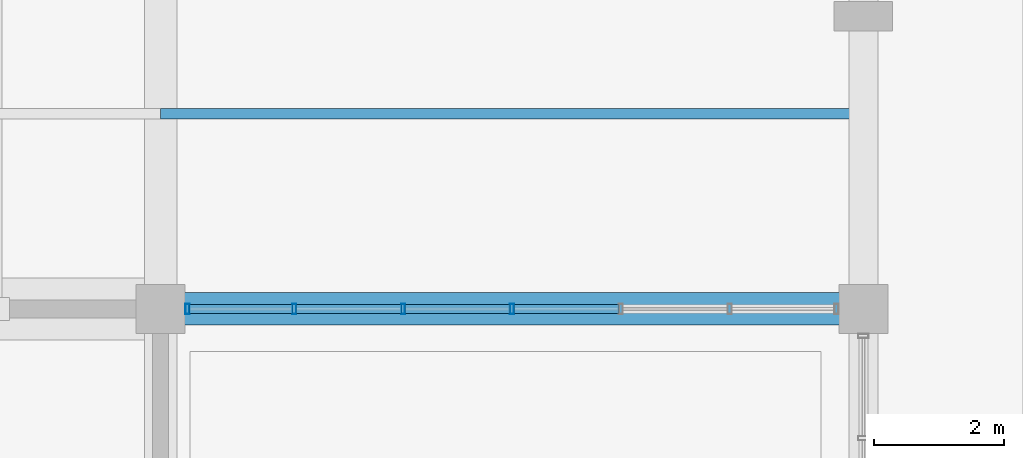
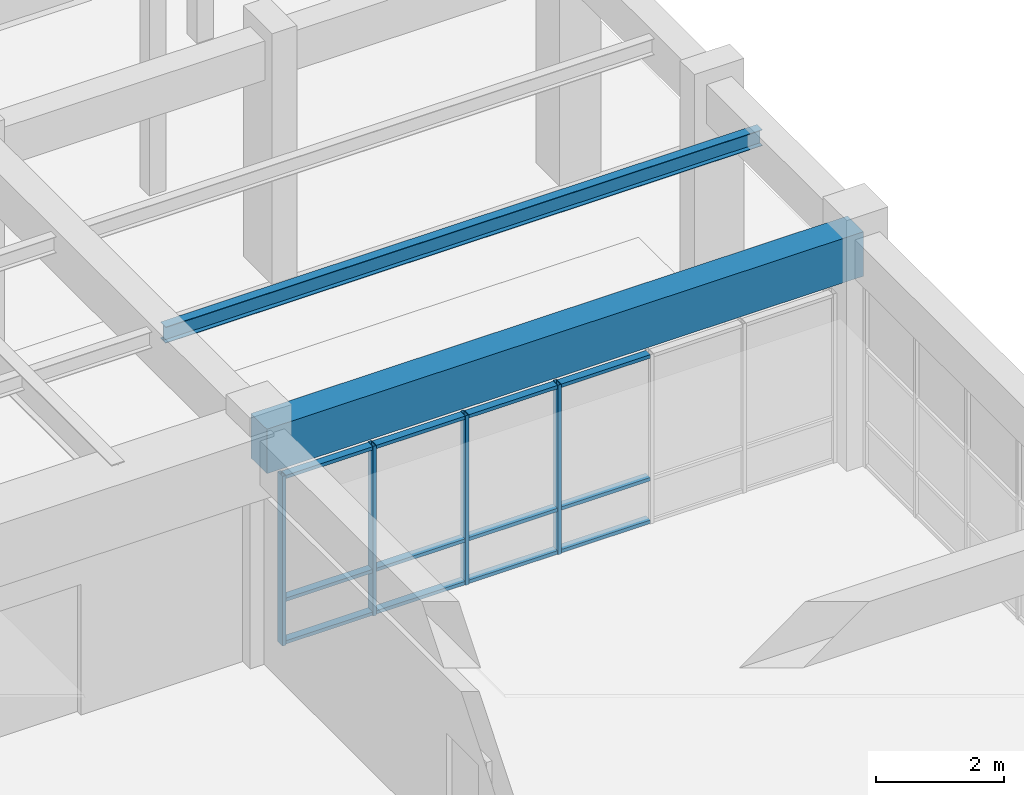
# One storey, part 8 of 47: 17 members, 1 beam, 1 element without a shape of its own.
"""IFC4 building model written with IfcOpenShell, lengths in metres."""

from ifc_helpers import new_model, si_unit, direction, frame, origin, origin_2d, place, context, subcontext, project, spatial, rectangle, hollow_rectangle, i_section, extrude, material, layer, layer_set, material_profile, profile_set, type_object, element, aggregate, save


model = new_model("IFC4")

# Units and contexts
model_context = context("Model", 3, precision=1e-05, world=origin(), true_north=direction((0.0, 1.0)))
body_context = subcontext(model_context, "Body", "Model", "MODEL_VIEW")
ifc_project = project(units=[si_unit("LENGTHUNIT", "METRE"), si_unit("AREAUNIT", "SQUARE_METRE"), si_unit("VOLUMEUNIT", "CUBIC_METRE"), si_unit("PLANEANGLEUNIT", "RADIAN"), si_unit("MASSUNIT", "GRAM", prefix="KILO")], contexts=[model_context])

# Site, building, storey
site_placement = place(None, origin())
site = spatial("IfcSite", under=ifc_project, at=site_placement, CompositionType="ELEMENT")
building_placement = place(site_placement, origin())
building = spatial("IfcBuilding", under=site, at=building_placement, Name="Ventoquebrada Cableway Terminal", CompositionType="ELEMENT")
storey_placement = place(building_placement, origin())
storey = spatial("IfcBuildingStorey", under=building, at=storey_placement, Name="L00", CompositionType="ELEMENT", Elevation=0.0)

# Beam
ifc_material_1 = material(Name="Concrete C40/50", Category="concrete")
ifc_material_profile_1 = material_profile(ifc_material_1, rectangle(XDim=0.5, YDim=0.85009765625, at=origin_2d()), Name="RC-BM-500X850")
ifc_profile_set_1 = profile_set([ifc_material_profile_1], Name="Concrete C40/50")
beam_type = type_object("IfcBeamType", Name="BM-RC04", PredefinedType="BEAM", material=ifc_profile_set_1)
beam_placement = place(storey_placement, frame((26.199951171875, 47.0, 3.955078125), z_axis=(1.0, 0.0, 0.0), x_axis=(0.0, 1.0, 0.0)))
element("IfcBeam", 1, at=beam_placement, inside=storey, type_object=beam_type, Name="Primary frame girder FBM-0099", PredefinedType="BEAM", context=body_context, shape_type="SweptSolid", body=[
    extrude(rectangle(XDim=0.5, YDim=0.85009765625, at=origin_2d()), origin(), (0.0, 0.0, 1.0), 10.800048828125),
])

# Curtain wall, members
ifc_material_2 = material(Name="Anodized thermally-broken aluminium", Category="aluminium")
ifc_layer = layer(ifc_material_2, 0.159912109375)
ifc_layer_set = layer_set([ifc_layer], Name="Anodized thermally-broken aluminium")
curtain_wall_type = type_object("IfcCurtainWallType", Name="CW-T04", PredefinedType="USERDEFINED", material=ifc_layer_set)
curtain_wall_placement = place(storey_placement, origin())
curtain_wall = element("IfcCurtainWall", 2, at=curtain_wall_placement, inside=storey, type_object=curtain_wall_type, Name="Unitised glazed curtain wall CW-008", ObjectType="UNITISED CURTAIN WALL", PredefinedType="USERDEFINED")
ifc_material_profile_2 = material_profile(ifc_material_2, hollow_rectangle(XDim=0.06494140625, YDim=0.159912109375, WallThickness=0.00390625, at=origin_2d()), Name="CW-MUL-65X160")
ifc_profile_set_2 = profile_set([ifc_material_profile_2], Name="Anodized thermally-broken aluminium")
member_type_1 = type_object("IfcMemberType", Name="CWM-01", PredefinedType="MULLION", material=ifc_profile_set_2)
member_1_placement = place(storey_placement, frame((31.60009765625, 47.0, -0.008056640625), z_axis=(0.0, 0.0, 1.0), x_axis=(-1.0, 0.0, 0.0)))
member_1 = element("IfcMember", 3, at=member_1_placement, type_object=member_type_1, Name="Curtain wall mullion FML-0032", PredefinedType="MULLION", context=body_context, shape_type="SweptSolid", body=[
    extrude(hollow_rectangle(XDim=0.06494140625, YDim=0.159912109375, WallThickness=0.00390625, at=origin_2d()), origin(), (0.0, 0.0, 1.0), 3.248046875),
])
member_2_placement = place(storey_placement, frame((29.927001953125, 47.0, -0.008056640625), z_axis=(0.0, 0.0, 1.0), x_axis=(-1.0, 0.0, 0.0)))
member_2 = element("IfcMember", 4, at=member_2_placement, type_object=member_type_1, Name="Curtain wall mullion FML-0033", PredefinedType="MULLION", context=body_context, shape_type="SweptSolid", body=[
    extrude(hollow_rectangle(XDim=0.06494140625, YDim=0.159912109375, WallThickness=0.00390625, at=origin_2d()), origin(), (0.0, 0.0, 1.0), 3.248046875),
])
member_3_placement = place(storey_placement, frame((28.2529296875, 47.0, -0.008056640625), z_axis=(0.0, 0.0, 1.0), x_axis=(-1.0, 0.0, 0.0)))
member_3 = element("IfcMember", 5, at=member_3_placement, type_object=member_type_1, Name="Curtain wall mullion FML-0034", PredefinedType="MULLION", context=body_context, shape_type="SweptSolid", body=[
    extrude(hollow_rectangle(XDim=0.06494140625, YDim=0.159912109375, WallThickness=0.00390625, at=origin_2d()), origin(), (0.0, 0.0, 1.0), 3.248046875),
])
member_4_placement = place(storey_placement, frame((26.614990234375, 47.0, -0.008056640625), z_axis=(0.0, 0.0, 1.0), x_axis=(-1.0, 0.0, 0.0)))
member_4 = element("IfcMember", 6, at=member_4_placement, type_object=member_type_1, Name="Curtain wall mullion FML-0035", PredefinedType="MULLION", context=body_context, shape_type="SweptSolid", body=[
    extrude(hollow_rectangle(XDim=0.06494140625, YDim=0.159912109375, WallThickness=0.00390625, at=origin_2d()), origin(), (0.0, 0.0, 1.0), 3.248046875),
])
ifc_material_profile_3 = material_profile(ifc_material_2, hollow_rectangle(XDim=0.06494140625, YDim=0.139892578125, WallThickness=0.00390625, at=origin_2d()), Name="CW-TRN-65X140")
ifc_profile_set_3 = profile_set([ifc_material_profile_3], Name="Anodized thermally-broken aluminium")
member_type_2 = type_object("IfcMemberType", Name="CWT-01", PredefinedType="USERDEFINED", material=ifc_profile_set_3)
member_5_placement = place(storey_placement, frame((33.24609375, 47.0, 0.034912109375), z_axis=(-1.0, 0.0, 0.0), x_axis=(0.0, 0.0, 1.0)))
member_5 = element("IfcMember", 7, at=member_5_placement, type_object=member_type_2, Name="Curtain wall transom FTR-0088", ObjectType="TRANSOM", PredefinedType="USERDEFINED", context=body_context, shape_type="SweptSolid", body=[
    extrude(hollow_rectangle(XDim=0.06494140625, YDim=0.139892578125, WallThickness=0.00390625, at=origin_2d()), origin(), (0.0, 0.0, 1.0), 1.619140625),
])
member_6_placement = place(storey_placement, frame((33.24609375, 47.0, 0.85009765625), z_axis=(-1.0, 0.0, 0.0), x_axis=(0.0, 0.0, 1.0)))
member_6 = element("IfcMember", 8, at=member_6_placement, type_object=member_type_2, Name="Curtain wall transom FTR-0089", ObjectType="TRANSOM", PredefinedType="USERDEFINED", context=body_context, shape_type="SweptSolid", body=[
    extrude(hollow_rectangle(XDim=0.06494140625, YDim=0.139892578125, WallThickness=0.00390625, at=origin_2d()), origin(), (0.0, 0.0, 1.0), 1.619140625),
])
member_7_placement = place(storey_placement, frame((33.24609375, 47.0, 3.199951171875), z_axis=(-1.0, 0.0, 0.0), x_axis=(0.0, 0.0, 1.0)))
member_7 = element("IfcMember", 9, at=member_7_placement, type_object=member_type_2, Name="Curtain wall transom FTR-0090", ObjectType="TRANSOM", PredefinedType="USERDEFINED", context=body_context, shape_type="SweptSolid", body=[
    extrude(hollow_rectangle(XDim=0.06494140625, YDim=0.139892578125, WallThickness=0.00390625, at=origin_2d()), origin(), (0.0, 0.0, 1.0), 1.619140625),
])
member_8_placement = place(storey_placement, frame((31.572021484375, 47.0, 0.034912109375), z_axis=(-1.0, 0.0, 0.0), x_axis=(0.0, 0.0, 1.0)))
member_8 = element("IfcMember", 10, at=member_8_placement, type_object=member_type_2, Name="Curtain wall transom FTR-0091", ObjectType="TRANSOM", PredefinedType="USERDEFINED", context=body_context, shape_type="SweptSolid", body=[
    extrude(hollow_rectangle(XDim=0.06494140625, YDim=0.139892578125, WallThickness=0.00390625, at=origin_2d()), origin(), (0.0, 0.0, 1.0), 1.617919921875),
])
member_9_placement = place(storey_placement, frame((31.572021484375, 47.0, 0.85009765625), z_axis=(-1.0, 0.0, 0.0), x_axis=(0.0, 0.0, 1.0)))
member_9 = element("IfcMember", 11, at=member_9_placement, type_object=member_type_2, Name="Curtain wall transom FTR-0092", ObjectType="TRANSOM", PredefinedType="USERDEFINED", context=body_context, shape_type="SweptSolid", body=[
    extrude(hollow_rectangle(XDim=0.06494140625, YDim=0.139892578125, WallThickness=0.00390625, at=origin_2d()), origin(), (0.0, 0.0, 1.0), 1.617919921875),
])
member_10_placement = place(storey_placement, frame((31.572021484375, 47.0, 3.199951171875), z_axis=(-1.0, 0.0, 0.0), x_axis=(0.0, 0.0, 1.0)))
member_10 = element("IfcMember", 12, at=member_10_placement, type_object=member_type_2, Name="Curtain wall transom FTR-0093", ObjectType="TRANSOM", PredefinedType="USERDEFINED", context=body_context, shape_type="SweptSolid", body=[
    extrude(hollow_rectangle(XDim=0.06494140625, YDim=0.139892578125, WallThickness=0.00390625, at=origin_2d()), origin(), (0.0, 0.0, 1.0), 1.617919921875),
])
member_11_placement = place(storey_placement, frame((29.89892578125, 47.0, 0.034912109375), z_axis=(-1.0, 0.0, 0.0), x_axis=(0.0, 0.0, 1.0)))
member_11 = element("IfcMember", 13, at=member_11_placement, type_object=member_type_2, Name="Curtain wall transom FTR-0094", ObjectType="TRANSOM", PredefinedType="USERDEFINED", context=body_context, shape_type="SweptSolid", body=[
    extrude(hollow_rectangle(XDim=0.06494140625, YDim=0.139892578125, WallThickness=0.00390625, at=origin_2d()), origin(), (0.0, 0.0, 1.0), 1.617919921875),
])
member_12_placement = place(storey_placement, frame((29.89892578125, 47.0, 0.85009765625), z_axis=(-1.0, 0.0, 0.0), x_axis=(0.0, 0.0, 1.0)))
member_12 = element("IfcMember", 14, at=member_12_placement, type_object=member_type_2, Name="Curtain wall transom FTR-0095", ObjectType="TRANSOM", PredefinedType="USERDEFINED", context=body_context, shape_type="SweptSolid", body=[
    extrude(hollow_rectangle(XDim=0.06494140625, YDim=0.139892578125, WallThickness=0.00390625, at=origin_2d()), origin(), (0.0, 0.0, 1.0), 1.617919921875),
])
member_13_placement = place(storey_placement, frame((29.89892578125, 47.0, 3.199951171875), z_axis=(-1.0, 0.0, 0.0), x_axis=(0.0, 0.0, 1.0)))
member_13 = element("IfcMember", 15, at=member_13_placement, type_object=member_type_2, Name="Curtain wall transom FTR-0096", ObjectType="TRANSOM", PredefinedType="USERDEFINED", context=body_context, shape_type="SweptSolid", body=[
    extrude(hollow_rectangle(XDim=0.06494140625, YDim=0.139892578125, WallThickness=0.00390625, at=origin_2d()), origin(), (0.0, 0.0, 1.0), 1.617919921875),
])
member_14_placement = place(storey_placement, frame((28.22607421875, 47.0, 0.034912109375), z_axis=(-1.0, 0.0, 0.0), x_axis=(0.0, 0.0, 1.0)))
member_14 = element("IfcMember", 16, at=member_14_placement, type_object=member_type_2, Name="Curtain wall transom FTR-0097", ObjectType="TRANSOM", PredefinedType="USERDEFINED", context=body_context, shape_type="SweptSolid", body=[
    extrude(hollow_rectangle(XDim=0.06494140625, YDim=0.139892578125, WallThickness=0.00390625, at=origin_2d()), origin(), (0.0, 0.0, 1.0), 1.583984375),
])
member_15_placement = place(storey_placement, frame((28.22607421875, 47.0, 0.85009765625), z_axis=(-1.0, 0.0, 0.0), x_axis=(0.0, 0.0, 1.0)))
member_15 = element("IfcMember", 17, at=member_15_placement, type_object=member_type_2, Name="Curtain wall transom FTR-0098", ObjectType="TRANSOM", PredefinedType="USERDEFINED", context=body_context, shape_type="SweptSolid", body=[
    extrude(hollow_rectangle(XDim=0.06494140625, YDim=0.139892578125, WallThickness=0.00390625, at=origin_2d()), origin(), (0.0, 0.0, 1.0), 1.583984375),
])
member_16_placement = place(storey_placement, frame((28.22607421875, 47.0, 3.199951171875), z_axis=(-1.0, 0.0, 0.0), x_axis=(0.0, 0.0, 1.0)))
member_16 = element("IfcMember", 18, at=member_16_placement, type_object=member_type_2, Name="Curtain wall transom FTR-0099", ObjectType="TRANSOM", PredefinedType="USERDEFINED", context=body_context, shape_type="SweptSolid", body=[
    extrude(hollow_rectangle(XDim=0.06494140625, YDim=0.139892578125, WallThickness=0.00390625, at=origin_2d()), origin(), (0.0, 0.0, 1.0), 1.583984375),
])
aggregate(curtain_wall, [member_1, member_2, member_3, member_4, member_5, member_6, member_7, member_8, member_9, member_10, member_11, member_12, member_13, member_14, member_15, member_16])

# Member
ifc_material_3 = material(Name="Steel ASTM A992 Grade 50", Category="steel")
ifc_material_profile_4 = material_profile(ifc_material_3, i_section(OverallWidth=0.1650390625, OverallDepth=0.31005859375, WebThickness=0.005859375, FlangeThickness=0.009765625, at=origin_2d()), Name="W12X26")
ifc_profile_set_4 = profile_set([ifc_material_profile_4], Name="Steel ASTM A992 Grade 50")
member_type_3 = type_object("IfcMemberType", Name="PUR-RF05", PredefinedType="PURLIN", material=ifc_profile_set_4)
member_17_placement = place(storey_placement, frame((26.199951171875, 50.0, 4.260009765625), z_axis=(1.0, 0.0, 0.0), x_axis=(0.0, 1.0, 0.0)))
element("IfcMember", 19, at=member_17_placement, inside=storey, type_object=member_type_3, Name="Roof support purlin RPR-0468", PredefinedType="PURLIN", context=body_context, shape_type="SweptSolid", body=[
    extrude(i_section(OverallWidth=0.1650390625, OverallDepth=0.31005859375, WebThickness=0.005859375, FlangeThickness=0.009765625, at=origin_2d()), origin(), (0.0, 0.0, 1.0), 10.800048828125),
])

save(model, "model.ifc")
